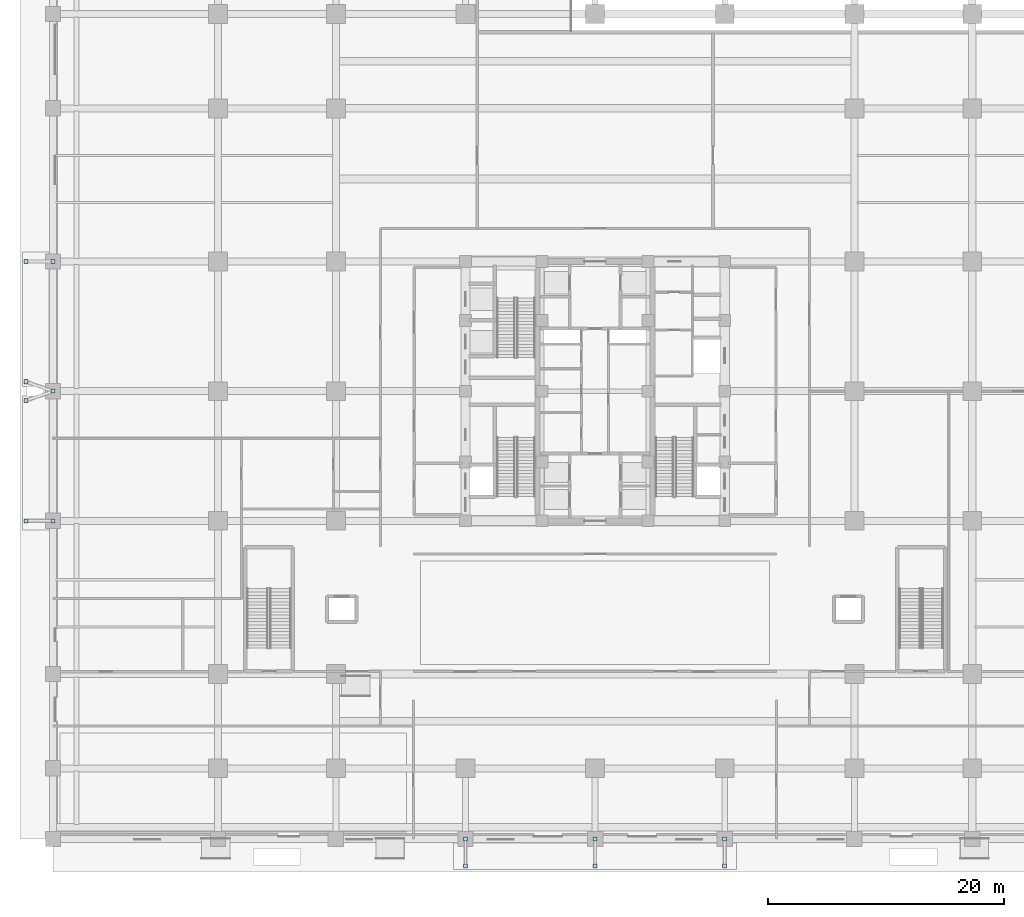
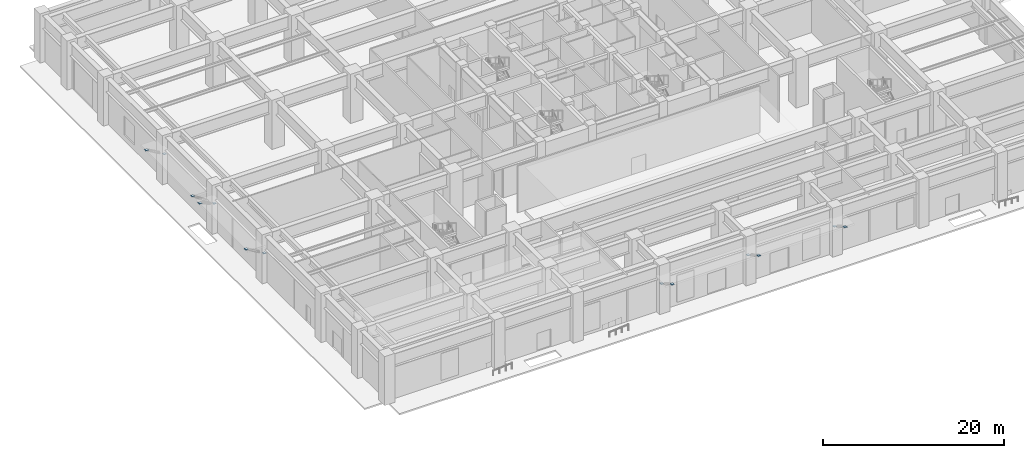
# One storey, part 4 of 21: 13 plates.
"""IFC4 building model written with IfcOpenShell, lengths in metres."""

from ifc_helpers import new_model, si_unit, direction, frame, origin, origin_2d, place, context, subcontext, project, spatial, rectangle, extrude, source, transform, mapped, material, layer, layer_set, type_object, element, save


model = new_model("IFC4")

# Units and contexts
model_context = context("Model", 3, precision=1e-05, world=origin(), true_north=direction((0.0, 1.0)))
body_context = subcontext(model_context, "Body", "Model", "MODEL_VIEW")
ifc_project = project(units=[si_unit("LENGTHUNIT", "METRE"), si_unit("AREAUNIT", "SQUARE_METRE"), si_unit("VOLUMEUNIT", "CUBIC_METRE"), si_unit("PLANEANGLEUNIT", "RADIAN"), si_unit("MASSUNIT", "GRAM", prefix="KILO")], contexts=[model_context])

# Site, building, storey
site_placement = place(None, origin())
site = spatial("IfcSite", under=ifc_project, at=site_placement, CompositionType="ELEMENT")
building_placement = place(site_placement, origin())
building = spatial("IfcBuilding", under=site, at=building_placement, Name="Khorayat Bourse Tower", CompositionType="ELEMENT")
storey_placement = place(building_placement, origin())
storey = spatial("IfcBuildingStorey", under=building, at=storey_placement, Name="L00", CompositionType="ELEMENT", Elevation=0.0)

# Plates
ifc_material = material(Name="Steel EN 10025-2 S355J2", Category="steel")
ifc_layer = layer(ifc_material, 0.02490234375)
ifc_layer_set = layer_set([ifc_layer], Name="Steel EN 10025-2 S355J2")
plate_type = type_object("IfcPlateType", Name="PLT-ENDCAP-25", PredefinedType="SHEET", material=ifc_layer_set)
shared_shape = source(origin(), body_context, "Body", "SweptSolid", [
    extrude(rectangle(XDim=0.340087890625, YDim=0.340087890625, at=origin_2d()), origin(), (0.0, 0.0, 1.0), 0.02490234375),
])
for number, where, z_axis, x_axis, name in (
    (1, (-11.0, -38.0, 3.587646484375), (0.0, 0.0, 1.0), (1.0, 0.0, 0.0), "L00 Canopy Strut End Plate S-IWAN-1A"),
    (2, (-11.0, -40.300048828125, 4.907470703125), (0.0, 0.0, 1.0), (1.0, 0.0, 0.0), "L00 Canopy Strut End Plate S-IWAN-1B"),
    (3, (0.0, -38.0, 3.587646484375), (0.0, 0.0, 1.0), (1.0, 0.0, 0.0), "L00 Canopy Strut End Plate S-IWAN-2A"),
    (4, (0.0, -40.300048828125, 4.907470703125), (0.0, 0.0, 1.0), (1.0, 0.0, 0.0), "L00 Canopy Strut End Plate S-IWAN-2B"),
    (5, (11.0, -38.0, 3.587646484375), (0.0, 0.0, 1.0), (1.0, 0.0, 0.0), "L00 Canopy Strut End Plate S-IWAN-3A"),
    (6, (11.0, -40.300048828125, 4.907470703125), (0.0, 0.0, 1.0), (1.0, 0.0, 0.0), "L00 Canopy Strut End Plate S-IWAN-3B"),
    (7, (-46.0, -11.0, 3.587646484375), (0.0, 0.0, 1.0), (1.0, 0.0, 0.0), "L00 Canopy Strut End Plate W-ARC-1-1A"),
    (8, (-48.300048828125, -11.0, 4.907470703125), (0.0, 0.0, 1.0), (1.0, 0.0, 0.0), "L00 Canopy Strut End Plate W-ARC-1-1B"),
    (9, (-46.0, 0.0, 3.587646484375), (0.0, 0.0, 1.0), (1.0, 0.0, 0.0), "L00 Canopy Strut End Plate W-ARC-1-2A"),
    (10, (-48.300048828125, -0.800048828125, 4.907470703125), (0.0, 0.0, 1.0), (1.0, 0.0, 0.0), "L00 Canopy Strut End Plate W-ARC-1-2B"),
    (11, (-48.300048828125, 0.800048828125, 4.907470703125), (0.0, 0.0, 1.0), (1.0, 0.0, 0.0), "L00 Canopy Strut End Plate W-ARC-2-1B"),
    (12, (-46.0, 11.0, 3.587646484375), (0.0, 0.0, 1.0), (1.0, 0.0, 0.0), "L00 Canopy Strut End Plate W-ARC-2-2A"),
    (13, (-48.300048828125, 11.0, 4.907470703125), (0.0, 0.0, 1.0), (1.0, 0.0, 0.0), "L00 Canopy Strut End Plate W-ARC-2-2B"),
):
    element("IfcPlate", number, at=place(storey_placement, frame(where, z_axis=z_axis, x_axis=x_axis)), inside=storey, type_object=plate_type, Name=name, PredefinedType="SHEET", context=body_context, shape_type="MappedRepresentation", body=[
        mapped(shared_shape, transform((0.0, 0.0, 0.0), scale=1.0)),
    ])

save(model, "model.ifc")
